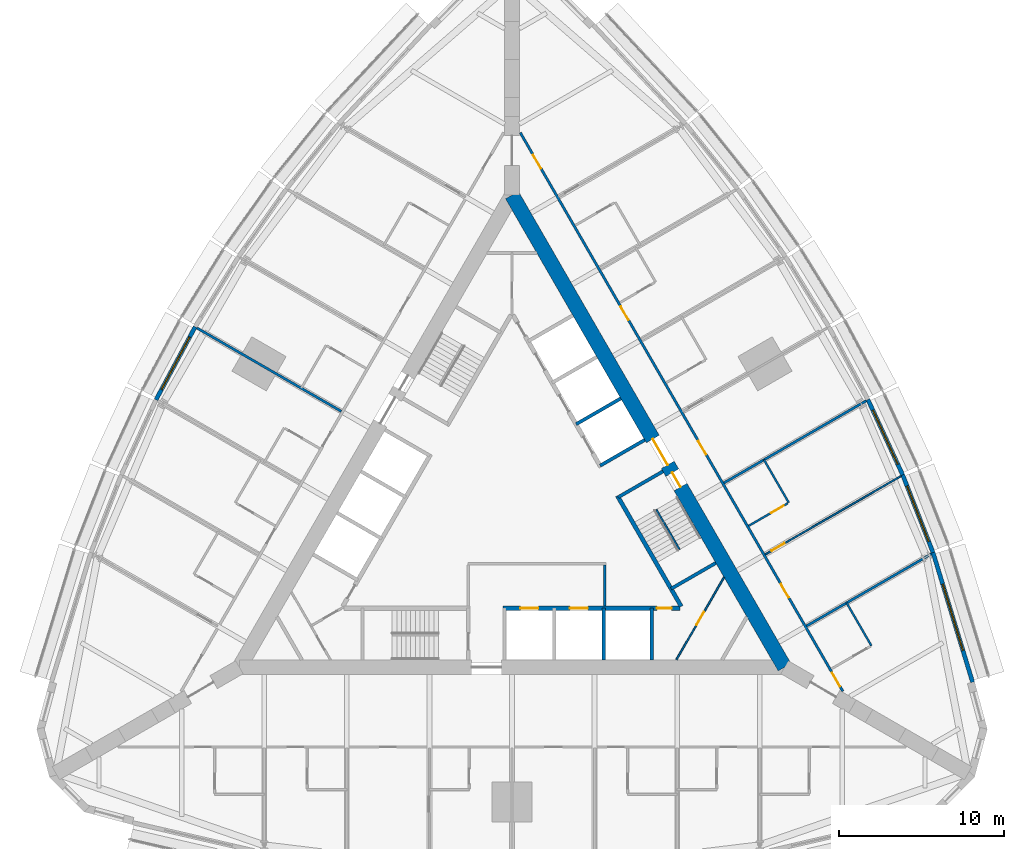
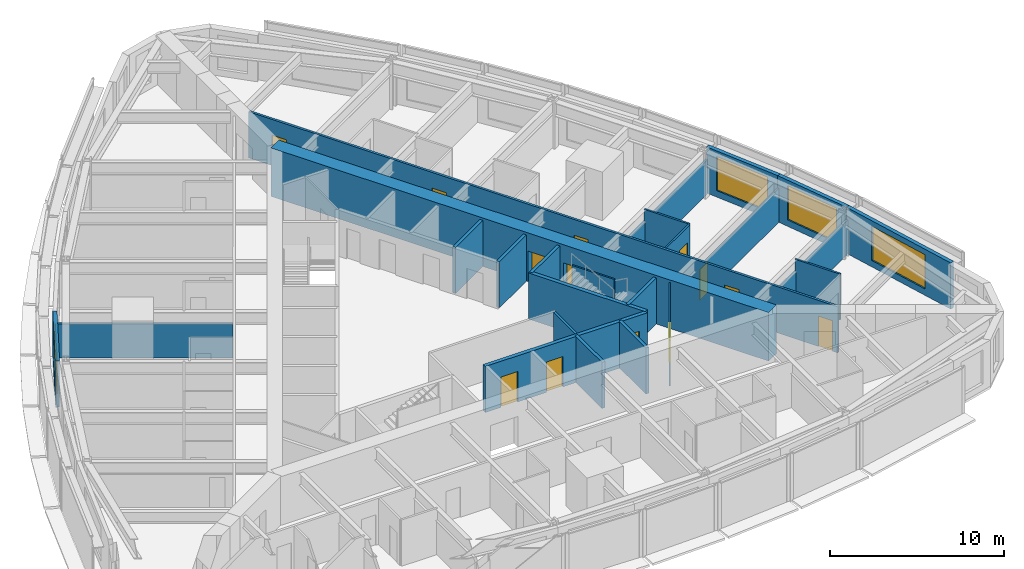
# One storey, part 11 of 14: 24 walls, 13 doors, 4 windows, 17 openings.
"""IFC4 building model written with IfcOpenShell, lengths in metres."""

from ifc_helpers import new_model, si_unit, direction, frame, frame_2d, origin, place, context, subcontext, project, spatial, rectangle, extrude, material, layer, layer_set, type_object, element, fill, save


model = new_model("IFC4")

# Units and contexts
model_context = context("Model", 3, precision=1e-05, world=origin(), true_north=direction((0.0, 1.0)))
body_context = subcontext(model_context, "Body", "Model", "MODEL_VIEW")
ifc_project = project(units=[si_unit("LENGTHUNIT", "METRE"), si_unit("AREAUNIT", "SQUARE_METRE"), si_unit("VOLUMEUNIT", "CUBIC_METRE"), si_unit("PLANEANGLEUNIT", "RADIAN"), si_unit("MASSUNIT", "GRAM", prefix="KILO")], contexts=[model_context])

# Site, building, storey
site_placement = place(None, origin())
site = spatial("IfcSite", under=ifc_project, at=site_placement, CompositionType="ELEMENT")
building_placement = place(site_placement, origin())
building = spatial("IfcBuilding", under=site, at=building_placement, Name="Trikona Tower", CompositionType="ELEMENT")
storey_placement = place(building_placement, frame((0.0, 0.0, 76.10009765625)))
storey = spatial("IfcBuildingStorey", under=building, at=storey_placement, Name="L19", CompositionType="ELEMENT", Elevation=76.10009765625)

# Walls
ifc_material_1 = material(Name="Metal stud and cement board", Category="gypsum")
ifc_layer_1 = layer(ifc_material_1, 0.1201171875)
ifc_layer_set_1 = layer_set([ifc_layer_1], Name="Bathroom wall 120")
wall_type_1 = type_object("IfcWallType", Name="Bathroom wall 120", PredefinedType="PLUMBINGWALL", material=ifc_layer_set_1)
for number, where, z_axis, x_axis, name in (
    (1, (21.75341796875, -8.225341796875, 0.0), (0.0, 0.0, 1.0), (-0.499990139034, 0.866031096941, 0.0), "Bathroom wall 1907"),
    (2, (16.75341796875, 0.434814453125, 0.0), (0.0, 0.0, 1.0), (-0.499990139034, 0.866031096941, 0.0), "Bathroom wall 1908.1"),
):
    element("IfcWall", number, at=place(storey_placement, frame(where, z_axis=z_axis, x_axis=x_axis)), inside=storey, type_object=wall_type_1, Name=name, PredefinedType="PLUMBINGWALL", context=body_context, shape_type="SweptSolid", body=[
        extrude(rectangle(XDim=3.0, YDim=0.1201171875, at=frame_2d((1.5, 0.0))), origin(), (0.0, 0.0, 1.0), 3.23486328125),
    ])

# Wall, opening, door
wall_1_placement = place(storey_placement, frame((14.32861328125, -0.965087890625, 0.0), z_axis=(0.0, 0.0, 1.0), x_axis=(0.866035715982, 0.499982138324, 0.0)))
wall_1 = element("IfcWall", 3, at=wall_1_placement, inside=storey, type_object=wall_type_1, Name="Bathroom wall 1908.1", PredefinedType="PLUMBINGWALL", context=body_context, shape_type="SweptSolid", body=[
    extrude(rectangle(XDim=2.73974609375, YDim=0.1201171875, at=frame_2d((1.369873046875, 0.0))), origin(), (0.0, 0.0, 1.0), 3.23486328125),
])
opening_1_placement = place(wall_1_placement, frame((1.550048828125, 0.0, 0.0)))
opening_1 = element("IfcOpeningElement", 4, at=opening_1_placement, cuts=wall_1, Name="Opening D2", PredefinedType="OPENING", context=body_context, shape_type="SweptSolid", body=[
    extrude(rectangle(XDim=0.89990234375, YDim=2.1298828125, at=frame_2d((0.449951171875, 1.06494140625))), frame((0.0, 0.070068359375, 0.0), z_axis=(0.0, -1.0, 0.0), x_axis=(1.0, 0.0, 0.0)), (0.0, 0.0, 1.0), 0.14013671875),
])
ifc_material_2 = material(Name="Steel door frame with solid-core timber leaf", Category="steel")
door_type_1 = type_object("IfcDoorType", Name="Bathroom door 900x2130", OperationType="SLIDING_TO_LEFT", PredefinedType="DOOR", material=ifc_material_2)
door_1_placement = place(opening_1_placement, origin())
door_1 = element("IfcDoor", 5, at=door_1_placement, inside=storey, type_object=door_type_1, Name="Bathroom door 1908.1", OperationType="SLIDING_TO_LEFT", OverallHeight=2.1298828125, OverallWidth=0.89990234375, PredefinedType="DOOR", context=body_context, shape_type="SweptSolid", body=[
    extrude(rectangle(XDim=0.89990234375, YDim=2.1298828125, at=frame_2d((0.449951171875, 1.06494140625))), frame((0.0, 0.02490234375, 0.0), z_axis=(0.0, -1.0, 0.0), x_axis=(1.0, 0.0, 0.0)), (0.0, 0.0, 1.0), 0.050048828125),
])
fill(opening_1, door_1)

# Wall, openings, doors
ifc_material_3 = material(Name="Concrete f'c 10000 psi", Category="concrete")
ifc_layer_2 = layer(ifc_material_3, 0.89990234375)
ifc_layer_set_2 = layer_set([ifc_layer_2], Name="Core wall 900")
wall_type_2 = type_object("IfcWallType", Name="Core wall 900", PredefinedType="SHEAR", material=ifc_layer_set_2)
wall_2_placement = place(storey_placement, frame((16.5, -9.5263671875, 0.0), z_axis=(0.0, 0.0, 1.0), x_axis=(-0.499999749417, 0.866025548458, 0.0)))
wall_2 = element("IfcWall", 6, at=wall_2_placement, inside=storey, type_object=wall_type_2, Name="Core wall B", PredefinedType="SHEAR", context=body_context, shape_type="SweptSolid", body=[
    extrude(rectangle(XDim=33.0, YDim=0.89990234375, at=frame_2d((16.5, 0.0))), origin(), (0.0, 0.0, 1.0), 3.39990234375),
])
opening_2_placement = place(wall_2_placement, frame((14.14990234375, 0.0, 0.0)))
opening_2 = element("IfcOpeningElement", 7, at=opening_2_placement, cuts=wall_2, Name="Opening D6", PredefinedType="OPENING", context=body_context, shape_type="SweptSolid", body=[
    extrude(rectangle(XDim=1.800048828125, YDim=2.1298828125, at=frame_2d((0.89990234375, 1.06494140625))), frame((0.0, 0.4599609375, 0.0), z_axis=(0.0, -1.0, 0.0), x_axis=(1.0, 0.0, 0.0)), (0.0, 0.0, 1.0), 0.919921875),
])
opening_3_placement = place(wall_2_placement, frame((12.60009765625, 0.0, 0.0)))
opening_3 = element("IfcOpeningElement", 8, at=opening_3_placement, cuts=wall_2, Name="Opening D5", PredefinedType="OPENING", context=body_context, shape_type="SweptSolid", body=[
    extrude(rectangle(XDim=1.0, YDim=2.1298828125, at=frame_2d((0.5, 1.06494140625))), frame((0.0, 0.4599609375, 0.0), z_axis=(0.0, -1.0, 0.0), x_axis=(1.0, 0.0, 0.0)), (0.0, 0.0, 1.0), 0.919921875),
])
ifc_material_4 = material(Name="Hollow metal door and frame", Category="steel")
door_type_2 = type_object("IfcDoorType", Name="Lobby door pair 1800x2130", OperationType="DOUBLE_DOOR_SINGLE_SWING", PredefinedType="DOOR", material=ifc_material_4)
door_2_placement = place(opening_2_placement, origin())
door_2 = element("IfcDoor", 9, at=door_2_placement, inside=storey, type_object=door_type_2, Name="Lift lobby door B", OperationType="DOUBLE_DOOR_SINGLE_SWING", OverallHeight=2.1298828125, OverallWidth=1.800048828125, PredefinedType="DOOR", context=body_context, shape_type="SweptSolid", body=[
    extrude(rectangle(XDim=1.800048828125, YDim=2.1298828125, at=frame_2d((0.89990234375, 1.06494140625))), frame((0.0, 0.02490234375, 0.0), z_axis=(0.0, -1.0, 0.0), x_axis=(1.0, 0.0, 0.0)), (0.0, 0.0, 1.0), 0.050048828125),
])
fill(opening_2, door_2)
ifc_material_5 = material(Name="Hollow metal door and frame", Category="steel")
door_type_3 = type_object("IfcDoorType", Name="Stair door 1000x2130", OperationType="SINGLE_SWING_LEFT", PredefinedType="DOOR", material=ifc_material_5)
door_3_placement = place(opening_3_placement, origin())
door_3 = element("IfcDoor", 10, at=door_3_placement, inside=storey, type_object=door_type_3, Name="Stair B door", OperationType="SINGLE_SWING_RIGHT", OverallHeight=2.1298828125, OverallWidth=1.0, PredefinedType="DOOR", context=body_context, shape_type="SweptSolid", body=[
    extrude(rectangle(XDim=1.0, YDim=2.1298828125, at=frame_2d((0.5, 1.06494140625))), frame((0.0, 0.02490234375, 0.0), z_axis=(0.0, -1.0, 0.0), x_axis=(1.0, 0.0, 0.0)), (0.0, 0.0, 1.0), 0.050048828125),
])
fill(opening_3, door_3)

ifc_material_6 = material(Name="Metal stud and gypsum board, 1-hour", Category="gypsum")
ifc_layer_3 = layer(ifc_material_6, 0.14990234375)
ifc_layer_set_3 = layer_set([ifc_layer_3], Name="Corridor wall 150")
wall_type_3 = type_object("IfcWallType", Name="Corridor wall 150", PredefinedType="PARTITIONING", material=ifc_layer_set_3)
wall_3_placement = place(storey_placement, frame((20.027099609375, -10.9853515625, 0.0), z_axis=(0.0, 0.0, 1.0), x_axis=(-0.500001677587, 0.866024435227, 0.0)))
wall_3 = element("IfcWall", 11, at=wall_3_placement, inside=storey, type_object=wall_type_3, Name="Corridor wall L19-2", PredefinedType="PARTITIONING", context=body_context, shape_type="SweptSolid", body=[
    extrude(rectangle(XDim=39.053955078125, YDim=0.14990234375, at=frame_2d((19.52685546875, 0.0))), origin(), (0.0, 0.0, 1.0), 3.23486328125),
])
opening_4_placement = place(wall_3_placement, frame((0.35205078125, 0.0, 0.0)))
opening_4 = element("IfcOpeningElement", 12, at=opening_4_placement, cuts=wall_3, Name="Opening D1", PredefinedType="OPENING", context=body_context, shape_type="SweptSolid", body=[
    extrude(rectangle(XDim=0.949951171875, YDim=2.1298828125, at=frame_2d((0.47509765625, 1.06494140625))), frame((0.0, 0.0849609375, 0.0), z_axis=(0.0, -1.0, 0.0), x_axis=(1.0, 0.0, 0.0)), (0.0, 0.0, 1.0), 0.169921875),
])
opening_5_placement = place(wall_3_placement, frame((6.552001953125, 0.0, 0.0)))
opening_5 = element("IfcOpeningElement", 13, at=opening_5_placement, cuts=wall_3, Name="Opening D1", PredefinedType="OPENING", context=body_context, shape_type="SweptSolid", body=[
    extrude(rectangle(XDim=0.949951171875, YDim=2.1298828125, at=frame_2d((0.47509765625, 1.06494140625))), frame((0.0, 0.0849609375, 0.0), z_axis=(0.0, -1.0, 0.0), x_axis=(1.0, 0.0, 0.0)), (0.0, 0.0, 1.0), 0.169921875),
])
opening_6_placement = place(wall_3_placement, frame((16.552001953125, 0.0, 0.0)))
opening_6 = element("IfcOpeningElement", 14, at=opening_6_placement, cuts=wall_3, Name="Opening D1", PredefinedType="OPENING", context=body_context, shape_type="SweptSolid", body=[
    extrude(rectangle(XDim=0.949951171875, YDim=2.1298828125, at=frame_2d((0.47509765625, 1.06494140625))), frame((0.0, 0.0849609375, 0.0), z_axis=(0.0, -1.0, 0.0), x_axis=(1.0, 0.0, 0.0)), (0.0, 0.0, 1.0), 0.169921875),
])
opening_7_placement = place(wall_3_placement, frame((25.951904296875, 0.0, 0.0)))
opening_7 = element("IfcOpeningElement", 15, at=opening_7_placement, cuts=wall_3, Name="Opening D1", PredefinedType="OPENING", context=body_context, shape_type="SweptSolid", body=[
    extrude(rectangle(XDim=0.949951171875, YDim=2.1298828125, at=frame_2d((0.47509765625, 1.06494140625))), frame((0.0, 0.0849609375, 0.0), z_axis=(0.0, -1.0, 0.0), x_axis=(1.0, 0.0, 0.0)), (0.0, 0.0, 1.0), 0.169921875),
])
opening_8_placement = place(wall_3_placement, frame((36.545654296875, 0.0, 0.0)))
opening_8 = element("IfcOpeningElement", 16, at=opening_8_placement, cuts=wall_3, Name="Opening D1", PredefinedType="OPENING", context=body_context, shape_type="SweptSolid", body=[
    extrude(rectangle(XDim=0.949951171875, YDim=2.1298828125, at=frame_2d((0.47509765625, 1.06494140625))), frame((0.0, 0.0849609375, 0.0), z_axis=(0.0, -1.0, 0.0), x_axis=(1.0, 0.0, 0.0)), (0.0, 0.0, 1.0), 0.169921875),
])
ifc_material_7 = material(Name="Steel door frame with solid-core timber leaf", Category="steel")
door_type_4 = type_object("IfcDoorType", Name="Guest room door 950x2130", OperationType="SINGLE_SWING_LEFT", PredefinedType="DOOR", material=ifc_material_7)
door_4_placement = place(opening_4_placement, origin())
door_4 = element("IfcDoor", 17, at=door_4_placement, inside=storey, type_object=door_type_4, Name="Room door 1907", OperationType="SINGLE_SWING_LEFT", OverallHeight=2.1298828125, OverallWidth=0.949951171875, PredefinedType="DOOR", context=body_context, shape_type="SweptSolid", body=[
    extrude(rectangle(XDim=0.949951171875, YDim=2.1298828125, at=frame_2d((0.47509765625, 1.06494140625))), frame((0.0, 0.02490234375, 0.0), z_axis=(0.0, -1.0, 0.0), x_axis=(1.0, 0.0, 0.0)), (0.0, 0.0, 1.0), 0.050048828125),
])
fill(opening_4, door_4)
door_5_placement = place(opening_5_placement, origin())
door_5 = element("IfcDoor", 18, at=door_5_placement, inside=storey, type_object=door_type_4, Name="Room door 1908", OperationType="SINGLE_SWING_RIGHT", OverallHeight=2.1298828125, OverallWidth=0.949951171875, PredefinedType="DOOR", context=body_context, shape_type="SweptSolid", body=[
    extrude(rectangle(XDim=0.949951171875, YDim=2.1298828125, at=frame_2d((0.47509765625, 1.06494140625))), frame((0.0, 0.02490234375, 0.0), z_axis=(0.0, -1.0, 0.0), x_axis=(1.0, 0.0, 0.0)), (0.0, 0.0, 1.0), 0.050048828125),
])
fill(opening_5, door_5)
door_6_placement = place(opening_6_placement, origin())
door_6 = element("IfcDoor", 19, at=door_6_placement, inside=storey, type_object=door_type_4, Name="Room door 1909", OperationType="SINGLE_SWING_LEFT", OverallHeight=2.1298828125, OverallWidth=0.949951171875, PredefinedType="DOOR", context=body_context, shape_type="SweptSolid", body=[
    extrude(rectangle(XDim=0.949951171875, YDim=2.1298828125, at=frame_2d((0.47509765625, 1.06494140625))), frame((0.0, 0.02490234375, 0.0), z_axis=(0.0, -1.0, 0.0), x_axis=(1.0, 0.0, 0.0)), (0.0, 0.0, 1.0), 0.050048828125),
])
fill(opening_6, door_6)
door_7_placement = place(opening_7_placement, origin())
door_7 = element("IfcDoor", 20, at=door_7_placement, inside=storey, type_object=door_type_4, Name="Room door 1910", OperationType="SINGLE_SWING_RIGHT", OverallHeight=2.1298828125, OverallWidth=0.949951171875, PredefinedType="DOOR", context=body_context, shape_type="SweptSolid", body=[
    extrude(rectangle(XDim=0.949951171875, YDim=2.1298828125, at=frame_2d((0.47509765625, 1.06494140625))), frame((0.0, 0.02490234375, 0.0), z_axis=(0.0, -1.0, 0.0), x_axis=(1.0, 0.0, 0.0)), (0.0, 0.0, 1.0), 0.050048828125),
])
fill(opening_7, door_7)
door_8_placement = place(opening_8_placement, origin())
door_8 = element("IfcDoor", 21, at=door_8_placement, inside=storey, type_object=door_type_4, Name="Room door 1911", OperationType="SINGLE_SWING_RIGHT", OverallHeight=2.1298828125, OverallWidth=0.949951171875, PredefinedType="DOOR", context=body_context, shape_type="SweptSolid", body=[
    extrude(rectangle(XDim=0.949951171875, YDim=2.1298828125, at=frame_2d((0.47509765625, 1.06494140625))), frame((0.0, 0.02490234375, 0.0), z_axis=(0.0, -1.0, 0.0), x_axis=(1.0, 0.0, 0.0)), (0.0, 0.0, 1.0), 0.050048828125),
])
fill(opening_8, door_8)

ifc_material_8 = material(Name="Concrete f'c 8000 psi", Category="concrete")
ifc_layer_4 = layer(ifc_material_8, 0.25)
ifc_layer_set_4 = layer_set([ifc_layer_4], Name="Hub wall 250")
wall_type_4 = type_object("IfcWallType", Name="Hub wall 250", PredefinedType="SOLIDWALL", material=ifc_layer_set_4)
wall_4_placement = place(storey_placement, frame((-0.550048828125, -5.951416015625, 0.0), z_axis=(0.0, 0.0, 1.0), x_axis=(1.0, 0.0, 0.0)))
wall_4 = element("IfcWall", 22, at=wall_4_placement, inside=storey, type_object=wall_type_4, Name="Lift lobby wall A2", PredefinedType="SOLIDWALL", context=body_context, shape_type="SweptSolid", body=[
    extrude(rectangle(XDim=10.73291015625, YDim=0.25, at=frame_2d((5.366455078125, 0.0))), origin(), (0.0, 0.0, 1.0), 3.23486328125),
])
opening_9_placement = place(wall_4_placement, frame((9.31396484375, 0.0, 0.0)))
opening_9 = element("IfcOpeningElement", 23, at=opening_9_placement, cuts=wall_4, Name="Opening D14", PredefinedType="OPENING", context=body_context, shape_type="SweptSolid", body=[
    extrude(rectangle(XDim=0.89990234375, YDim=2.1298828125, at=frame_2d((0.449951171875, 1.06494140625))), frame((0.0, 0.135009765625, 0.0), z_axis=(0.0, -1.0, 0.0), x_axis=(1.0, 0.0, 0.0)), (0.0, 0.0, 1.0), 0.27001953125),
])
opening_10_placement = place(wall_4_placement, frame((1.050048828125, 0.0, 0.0)))
opening_10 = element("IfcOpeningElement", 24, at=opening_10_placement, cuts=wall_4, Name="Opening LD", PredefinedType="OPENING", context=body_context, shape_type="SweptSolid", body=[
    extrude(rectangle(XDim=1.10009765625, YDim=2.1298828125, at=frame_2d((0.550048828125, 1.06494140625))), frame((0.0, 0.135009765625, 0.0), z_axis=(0.0, -1.0, 0.0), x_axis=(1.0, 0.0, 0.0)), (0.0, 0.0, 1.0), 0.27001953125),
])
opening_11_placement = place(wall_4_placement, frame((4.050048828125, 0.0, 0.0)))
opening_11 = element("IfcOpeningElement", 25, at=opening_11_placement, cuts=wall_4, Name="Opening LD", PredefinedType="OPENING", context=body_context, shape_type="SweptSolid", body=[
    extrude(rectangle(XDim=1.10009765625, YDim=2.1298828125, at=frame_2d((0.550048828125, 1.06494140625))), frame((0.0, 0.135009765625, 0.0), z_axis=(0.0, -1.0, 0.0), x_axis=(1.0, 0.0, 0.0)), (0.0, 0.0, 1.0), 0.27001953125),
])
ifc_material_9 = material(Name="Stainless steel lift landing door", Category="steel")
door_type_5 = type_object("IfcDoorType", Name="Lift landing door 1100x2130", OperationType="DOUBLE_DOOR_SLIDING", PredefinedType="USERDEFINED", material=ifc_material_9)
door_9_placement = place(opening_10_placement, origin())
door_9 = element("IfcDoor", 26, at=door_9_placement, inside=storey, type_object=door_type_5, Name="Lift landing door FF1", ObjectType="LIFT LANDING DOOR", OperationType="DOUBLE_DOOR_SLIDING", OverallHeight=2.1298828125, OverallWidth=1.10009765625, PredefinedType="USERDEFINED", context=body_context, shape_type="SweptSolid", body=[
    extrude(rectangle(XDim=1.10009765625, YDim=2.1298828125, at=frame_2d((0.550048828125, 1.06494140625))), frame((0.0, 0.02490234375, 0.0), z_axis=(0.0, -1.0, 0.0), x_axis=(1.0, 0.0, 0.0)), (0.0, 0.0, 1.0), 0.050048828125),
])
fill(opening_10, door_9)
door_10_placement = place(opening_11_placement, origin())
door_10 = element("IfcDoor", 27, at=door_10_placement, inside=storey, type_object=door_type_5, Name="Lift landing door FF2", ObjectType="LIFT LANDING DOOR", OperationType="DOUBLE_DOOR_SLIDING", OverallHeight=2.1298828125, OverallWidth=1.10009765625, PredefinedType="USERDEFINED", context=body_context, shape_type="SweptSolid", body=[
    extrude(rectangle(XDim=1.10009765625, YDim=2.1298828125, at=frame_2d((0.550048828125, 1.06494140625))), frame((0.0, 0.02490234375, 0.0), z_axis=(0.0, -1.0, 0.0), x_axis=(1.0, 0.0, 0.0)), (0.0, 0.0, 1.0), 0.050048828125),
])
fill(opening_11, door_10)
ifc_material_10 = material(Name="Hollow metal door and frame", Category="steel")
door_type_6 = type_object("IfcDoorType", Name="Service room door 900x2130", OperationType="SINGLE_SWING_LEFT", PredefinedType="DOOR", material=ifc_material_10)
door_11_placement = place(opening_9_placement, origin())
door_11 = element("IfcDoor", 28, at=door_11_placement, inside=storey, type_object=door_type_6, Name="Door Ice and vending ICE", OperationType="SINGLE_SWING_RIGHT", OverallHeight=2.1298828125, OverallWidth=0.89990234375, PredefinedType="DOOR", context=body_context, shape_type="SweptSolid", body=[
    extrude(rectangle(XDim=0.89990234375, YDim=2.1298828125, at=frame_2d((0.449951171875, 1.06494140625))), frame((0.0, 0.02490234375, 0.0), z_axis=(0.0, -1.0, 0.0), x_axis=(1.0, 0.0, 0.0)), (0.0, 0.0, 1.0), 0.050048828125),
])
fill(opening_9, door_11)

# Wall
wall_5_placement = place(storey_placement, frame((10.245361328125, -5.843017578125, 0.0), z_axis=(0.0, 0.0, 1.0), x_axis=(-0.499993009313, 0.866029439822, 0.0)))
element("IfcWall", 29, at=wall_5_placement, inside=storey, type_object=wall_type_4, Name="Lift lobby wall B1", PredefinedType="SOLIDWALL", context=body_context, shape_type="SweptSolid", body=[
    extrude(rectangle(XDim=7.73291015625, YDim=0.25, at=frame_2d((3.866455078125, 0.0))), origin(), (0.0, 0.0, 1.0), 3.23486328125),
])

# Wall, opening, window
ifc_material_11 = material(Name="Insulated precast concrete spandrel panel", Category="concrete")
ifc_layer_5 = layer(ifc_material_11, 0.25)
ifc_layer_set_5 = layer_set([ifc_layer_5], Name="Inner skin wall 250")
wall_type_5 = type_object("IfcWallType", Name="Inner skin wall 250", PredefinedType="STANDARD", material=ifc_layer_set_5)
wall_6_placement = place(storey_placement, frame((27.88037109375, -10.4287109375, 0.0), z_axis=(0.0, 0.0, 1.0), x_axis=(-0.2919790669, 0.956424709265, 0.0)))
wall_6 = element("IfcWall", 30, at=wall_6_placement, inside=storey, type_object=wall_type_5, Name="External wall L19-12", PredefinedType="STANDARD", context=body_context, shape_type="SweptSolid", body=[
    extrude(rectangle(XDim=8.211181640625, YDim=0.25, at=frame_2d((4.10546875, 0.0))), origin(), (0.0, 0.0, 1.0), 3.23486328125),
])
opening_12_placement = place(wall_6_placement, frame((2.005615234375, 0.0, 0.449951171875)))
opening_12 = element("IfcOpeningElement", 31, at=opening_12_placement, cuts=wall_6, Name="Opening W4224", PredefinedType="OPENING", context=body_context, shape_type="SweptSolid", body=[
    extrude(rectangle(XDim=4.199951171875, YDim=2.39990234375, at=frame_2d((2.10009765625, 1.199951171875))), frame((0.0, 0.135009765625, 0.0), z_axis=(0.0, -1.0, 0.0), x_axis=(1.0, 0.0, 0.0)), (0.0, 0.0, 1.0), 0.27001953125),
])
ifc_material_12 = material(Name="Aluminium-framed double glazing", Category="aluminium")
window_type_1 = type_object("IfcWindowType", Name="Window 4200x2400", PartitioningType="SINGLE_PANEL", PredefinedType="WINDOW", material=ifc_material_12)
window_1_placement = place(opening_12_placement, origin())
window_1 = element("IfcWindow", 32, at=window_1_placement, inside=storey, type_object=window_type_1, Name="Window 1907", OverallHeight=2.39990234375, OverallWidth=4.199951171875, PartitioningType="SINGLE_PANEL", PredefinedType="WINDOW", context=body_context, shape_type="SweptSolid", body=[
    extrude(rectangle(XDim=4.199951171875, YDim=2.39990234375, at=frame_2d((2.10009765625, 1.199951171875))), frame((0.0, 0.030029296875, 0.0), z_axis=(0.0, -1.0, 0.0), x_axis=(1.0, 0.0, 0.0)), (0.0, 0.0, 1.0), 0.06005859375),
])
fill(opening_12, window_1)

wall_7_placement = place(storey_placement, frame((25.486083984375, -2.58447265625, 0.0), z_axis=(0.0, 0.0, 1.0), x_axis=(-0.364013463868, 0.931393685894, 0.0)))
wall_7 = element("IfcWall", 33, at=wall_7_placement, inside=storey, type_object=wall_type_5, Name="External wall L19-13", PredefinedType="STANDARD", context=body_context, shape_type="SweptSolid", body=[
    extrude(rectangle(XDim=5.0576171875, YDim=0.25, at=frame_2d((2.52880859375, 0.0))), origin(), (0.0, 0.0, 1.0), 3.23486328125),
])
opening_13_placement = place(wall_7_placement, frame((0.728759765625, 0.0, 0.449951171875)))
opening_13 = element("IfcOpeningElement", 34, at=opening_13_placement, cuts=wall_7, Name="Opening W3624", PredefinedType="OPENING", context=body_context, shape_type="SweptSolid", body=[
    extrude(rectangle(XDim=3.60009765625, YDim=2.39990234375, at=frame_2d((1.800048828125, 1.199951171875))), frame((0.0, 0.135009765625, 0.0), z_axis=(0.0, -1.0, 0.0), x_axis=(1.0, 0.0, 0.0)), (0.0, 0.0, 1.0), 0.27001953125),
])
ifc_material_13 = material(Name="Aluminium-framed double glazing", Category="aluminium")
window_type_2 = type_object("IfcWindowType", Name="Window 3600x2400", PartitioningType="SINGLE_PANEL", PredefinedType="WINDOW", material=ifc_material_13)
window_2_placement = place(opening_13_placement, origin())
window_2 = element("IfcWindow", 35, at=window_2_placement, inside=storey, type_object=window_type_2, Name="Window 1908", OverallHeight=2.39990234375, OverallWidth=3.60009765625, PartitioningType="SINGLE_PANEL", PredefinedType="WINDOW", context=body_context, shape_type="SweptSolid", body=[
    extrude(rectangle(XDim=3.60009765625, YDim=2.39990234375, at=frame_2d((1.800048828125, 1.199951171875))), frame((0.0, 0.030029296875, 0.0), z_axis=(0.0, -1.0, 0.0), x_axis=(1.0, 0.0, 0.0)), (0.0, 0.0, 1.0), 0.06005859375),
])
fill(opening_13, window_2)

wall_8_placement = place(storey_placement, frame((23.64794921875, 2.119384765625, 0.0), z_axis=(0.0, 0.0, 1.0), x_axis=(-0.419203100754, 0.907892482796, 0.0)))
wall_8 = element("IfcWall", 36, at=wall_8_placement, inside=storey, type_object=wall_type_5, Name="External wall L19-14", PredefinedType="STANDARD", context=body_context, shape_type="SweptSolid", body=[
    extrude(rectangle(XDim=5.020751953125, YDim=0.25, at=frame_2d((2.51025390625, 0.0))), origin(), (0.0, 0.0, 1.0), 3.23486328125),
])
opening_14_placement = place(wall_8_placement, frame((0.71044921875, 0.0, 0.449951171875)))
opening_14 = element("IfcOpeningElement", 37, at=opening_14_placement, cuts=wall_8, Name="Opening W3624", PredefinedType="OPENING", context=body_context, shape_type="SweptSolid", body=[
    extrude(rectangle(XDim=3.60009765625, YDim=2.39990234375, at=frame_2d((1.800048828125, 1.199951171875))), frame((0.0, 0.135009765625, 0.0), z_axis=(0.0, -1.0, 0.0), x_axis=(1.0, 0.0, 0.0)), (0.0, 0.0, 1.0), 0.27001953125),
])
window_3_placement = place(opening_14_placement, origin())
window_3 = element("IfcWindow", 38, at=window_3_placement, inside=storey, type_object=window_type_2, Name="Window 1908.1", OverallHeight=2.39990234375, OverallWidth=3.60009765625, PartitioningType="SINGLE_PANEL", PredefinedType="WINDOW", context=body_context, shape_type="SweptSolid", body=[
    extrude(rectangle(XDim=3.60009765625, YDim=2.39990234375, at=frame_2d((1.800048828125, 1.199951171875))), frame((0.0, 0.030029296875, 0.0), z_axis=(0.0, -1.0, 0.0), x_axis=(1.0, 0.0, 0.0)), (0.0, 0.0, 1.0), 0.06005859375),
])
fill(opening_14, window_3)

wall_9_placement = place(storey_placement, frame((-19.178466796875, 11.0771484375, 0.0), z_axis=(0.0, 0.0, 1.0), x_axis=(-0.473412820489, -0.880840678782, 0.0)))
wall_9 = element("IfcWall", 39, at=wall_9_placement, inside=storey, type_object=wall_type_5, Name="External wall L19-28", PredefinedType="STANDARD", context=body_context, shape_type="SweptSolid", body=[
    extrude(rectangle(XDim=5.00244140625, YDim=0.25, at=frame_2d((2.501220703125, 0.0))), origin(), (0.0, 0.0, 1.0), 3.23486328125),
])
opening_15_placement = place(wall_9_placement, frame((0.701171875, 0.0, 0.449951171875)))
opening_15 = element("IfcOpeningElement", 40, at=opening_15_placement, cuts=wall_9, Name="Opening W3624", PredefinedType="OPENING", context=body_context, shape_type="SweptSolid", body=[
    extrude(rectangle(XDim=3.60009765625, YDim=2.39990234375, at=frame_2d((1.800048828125, 1.199951171875))), frame((0.0, 0.135009765625, 0.0), z_axis=(0.0, -1.0, 0.0), x_axis=(1.0, 0.0, 0.0)), (0.0, 0.0, 1.0), 0.27001953125),
])
window_4_placement = place(opening_15_placement, origin())
window_4 = element("IfcWindow", 41, at=window_4_placement, inside=storey, type_object=window_type_2, Name="Window 1914", OverallHeight=2.39990234375, OverallWidth=3.60009765625, PartitioningType="SINGLE_PANEL", PredefinedType="WINDOW", context=body_context, shape_type="SweptSolid", body=[
    extrude(rectangle(XDim=3.60009765625, YDim=2.39990234375, at=frame_2d((1.800048828125, 1.199951171875))), frame((0.0, 0.030029296875, 0.0), z_axis=(0.0, -1.0, 0.0), x_axis=(1.0, 0.0, 0.0)), (0.0, 0.0, 1.0), 0.06005859375),
])
fill(opening_15, window_4)

# Walls
ifc_material_14 = material(Name="Metal stud and gypsum board, 2-hour shaft wall", Category="gypsum")
ifc_layer_6 = layer(ifc_material_14, 0.14990234375)
ifc_layer_set_6 = layer_set([ifc_layer_6], Name="Lobby wall 150")
wall_type_6 = type_object("IfcWallType", Name="Lobby wall 150", PredefinedType="PARTITIONING", material=ifc_layer_set_6)
wall_10_placement = place(storey_placement, frame((5.625, -5.826416015625, 0.0), z_axis=(0.0, 0.0, 1.0), x_axis=(0.0, 1.0, 0.0)))
element("IfcWall", 42, at=wall_10_placement, inside=storey, type_object=wall_type_6, Name="Fire service lift lobby wall 3", PredefinedType="PARTITIONING", context=body_context, shape_type="SweptSolid", body=[
    extrude(rectangle(XDim=2.5, YDim=0.14990234375, at=frame_2d((1.25, 0.0))), origin(), (0.0, 0.0, 1.0), 3.23486328125),
])
ifc_material_15 = material(Name="Metal stud and gypsum board, 1-hour acoustic", Category="gypsum")
ifc_layer_7 = layer(ifc_material_15, 0.14990234375)
ifc_layer_set_7 = layer_set([ifc_layer_7], Name="Party wall 150")
wall_type_7 = type_object("IfcWallType", Name="Party wall 150", PredefinedType="PARTITIONING", material=ifc_layer_set_7)
wall_11_placement = place(storey_placement, frame((17.82861328125, -7.027099609375, 0.0), z_axis=(0.0, 0.0, 1.0), x_axis=(0.866032659912, 0.499987431809, 0.0)))
element("IfcWall", 43, at=wall_11_placement, inside=storey, type_object=wall_type_7, Name="Partition L19 F2 u-15", PredefinedType="PARTITIONING", context=body_context, shape_type="SweptSolid", body=[
    extrude(rectangle(XDim=8.719970703125, YDim=0.14990234375, at=frame_2d((4.35986328125, 0.0))), origin(), (0.0, 0.0, 1.0), 2.38916015625),
])
wall_12_placement = place(storey_placement, frame((12.82861328125, 1.633056640625, 0.0), z_axis=(0.0, 0.0, 1.0), x_axis=(0.866026934769, 0.499997348248, 0.0)))
element("IfcWall", 44, at=wall_12_placement, inside=storey, type_object=wall_type_7, Name="Partition L19 F2 u-5", PredefinedType="PARTITIONING", context=body_context, shape_type="SweptSolid", body=[
    extrude(rectangle(XDim=9.94287109375, YDim=0.14990234375, at=frame_2d((4.971435546875, 0.0))), origin(), (0.0, 0.0, 1.0), 2.38916015625),
])
wall_13_placement = place(storey_placement, frame((-10.32861328125, 5.963134765625, 0.0), z_axis=(0.0, 0.0, 1.0), x_axis=(-0.866021688545, 0.500006434927, 0.0)))
element("IfcWall", 45, at=wall_13_placement, inside=storey, type_object=wall_type_7, Name="Partition L19 F3 u-5.10703e-15", PredefinedType="PARTITIONING", context=body_context, shape_type="SweptSolid", body=[
    extrude(rectangle(XDim=10.095947265625, YDim=0.14990234375, at=frame_2d((5.0478515625, 0.0))), origin(), (0.0, 0.0, 1.0), 2.38916015625),
])
ifc_material_16 = material(Name="Concrete f'c 8000 psi", Category="concrete")
ifc_layer_8 = layer(ifc_material_16, 0.199951171875)
ifc_layer_set_8 = layer_set([ifc_layer_8], Name="Shaft wall 200")
wall_type_8 = type_object("IfcWallType", Name="Shaft wall 200", PredefinedType="SOLIDWALL", material=ifc_layer_set_8)
for number, where, z_axis, x_axis, name in (
    (46, (5.550048828125, -5.951416015625, 0.0), (0.0, 0.0, 1.0), (0.0, -1.0, 0.0), "Shaft wall A5"),
    (47, (8.449951171875, -5.951416015625, 0.0), (0.0, 0.0, 1.0), (0.0, -1.0, 0.0), "Shaft wall A6"),
    (48, (5.3291015625, 2.672607421875, 0.0), (0.0, 0.0, 1.0), (0.866022959057, 0.500004234368, 0.0), "Shaft wall B3"),
    (49, (3.87890625, 5.18408203125, 0.0), (0.0, 0.0, 1.0), (0.866022959057, 0.500004234368, 0.0), "Shaft wall B4"),
):
    element("IfcWall", number, at=place(storey_placement, frame(where, z_axis=z_axis, x_axis=x_axis)), inside=storey, type_object=wall_type_8, Name=name, PredefinedType="SOLIDWALL", context=body_context, shape_type="SweptSolid", body=[
        extrude(rectangle(XDim=3.125, YDim=0.199951171875, at=frame_2d((1.5625, 0.0))), origin(), (0.0, 0.0, 1.0), 3.23486328125),
    ])
ifc_material_17 = material(Name="Concrete f'c 8000 psi", Category="concrete")
ifc_layer_9 = layer(ifc_material_17, 0.199951171875)
ifc_layer_set_9 = layer_set([ifc_layer_9], Name="Shaft wall 200 load-bearing")
wall_type_9 = type_object("IfcWallType", Name="Shaft wall 200 load-bearing", PredefinedType="SOLIDWALL", material=ifc_layer_set_9)
for number, where, z_axis, x_axis, name in (
    (50, (9.62890625, -4.775390625, 0.0), (0.0, 0.0, 1.0), (0.866022959057, 0.500004234368, 0.0), "Shaft wall B1"),
    (51, (6.428955078125, 0.767333984375, 0.0), (0.0, 0.0, 1.0), (0.866022959057, 0.500004234368, 0.0), "Shaft wall B2"),
):
    element("IfcWall", number, at=place(storey_placement, frame(where, z_axis=z_axis, x_axis=x_axis)), inside=storey, type_object=wall_type_9, Name=name, PredefinedType="SOLIDWALL", context=body_context, shape_type="SweptSolid", body=[
        extrude(rectangle(XDim=3.125, YDim=0.199951171875, at=frame_2d((1.5625, 0.0))), origin(), (0.0, 0.0, 1.0), 3.23486328125),
    ])
ifc_material_18 = material(Name="Concrete f'c 5000 psi", Category="concrete")
ifc_layer_10 = layer(ifc_material_18, 0.10009765625)
ifc_layer_set_10 = layer_set([ifc_layer_10], Name="Stair spine wall 100")
wall_type_10 = type_object("IfcWallType", Name="Stair spine wall 100", PredefinedType="SOLIDWALL", material=ifc_layer_set_10)
wall_14_placement = place(storey_placement, frame((10.134765625, -2.4013671875, 0.0), z_axis=(0.0, 0.0, 1.0), x_axis=(-0.499992232847, 0.866029888106, 0.0)))
element("IfcWall", 52, at=wall_14_placement, inside=storey, type_object=wall_type_10, Name="Stair B spine wall L19", PredefinedType="SOLIDWALL", context=body_context, shape_type="SweptSolid", body=[
    extrude(rectangle(XDim=2.7939453125, YDim=0.10009765625, at=frame_2d((1.39697265625, 0.0))), origin(), (0.0, 0.0, 1.0), 3.39990234375),
])

# Wall, opening, door
ifc_material_19 = material(Name="Metal stud and gypsum board, acoustic", Category="gypsum")
ifc_layer_11 = layer(ifc_material_19, 0.10009765625)
ifc_layer_set_11 = layer_set([ifc_layer_11], Name="Suite partition 100")
wall_type_11 = type_object("IfcWallType", Name="Suite partition 100", PredefinedType="PARTITIONING", material=ifc_layer_set_11)
wall_15_placement = place(storey_placement, frame((15.32861328125, -2.697021484375, 0.0), z_axis=(0.0, 0.0, 1.0), x_axis=(0.866018409083, 0.500012114982, 0.0)))
wall_15 = element("IfcWall", 53, at=wall_15_placement, inside=storey, type_object=wall_type_11, Name="Suite partition L19 F2 u-10", PredefinedType="PARTITIONING", context=body_context, shape_type="SweptSolid", body=[
    extrude(rectangle(XDim=9.484619140625, YDim=0.10009765625, at=frame_2d((4.7421875, 0.0))), origin(), (0.0, 0.0, 1.0), 2.38916015625),
])
opening_16_placement = place(wall_15_placement, frame((0.449951171875, 0.0, 0.0)))
opening_16 = element("IfcOpeningElement", 54, at=opening_16_placement, cuts=wall_15, Name="Opening D13", PredefinedType="OPENING", context=body_context, shape_type="SweptSolid", body=[
    extrude(rectangle(XDim=0.89990234375, YDim=2.1298828125, at=frame_2d((0.449951171875, 1.06494140625))), frame((0.0, 0.06005859375, 0.0), z_axis=(0.0, -1.0, 0.0), x_axis=(1.0, 0.0, 0.0)), (0.0, 0.0, 1.0), 0.1201171875),
])
ifc_material_20 = material(Name="Steel door frame with solid-core timber leaf", Category="steel")
door_type_7 = type_object("IfcDoorType", Name="Suite door 900x2130", OperationType="SINGLE_SWING_LEFT", PredefinedType="DOOR", material=ifc_material_20)
door_12_placement = place(opening_16_placement, origin())
door_12 = element("IfcDoor", 55, at=door_12_placement, inside=storey, type_object=door_type_7, Name="Suite door 1908", OperationType="SINGLE_SWING_LEFT", OverallHeight=2.1298828125, OverallWidth=0.89990234375, PredefinedType="DOOR", context=body_context, shape_type="SweptSolid", body=[
    extrude(rectangle(XDim=0.89990234375, YDim=2.1298828125, at=frame_2d((0.449951171875, 1.06494140625))), frame((0.0, 0.02490234375, 0.0), z_axis=(0.0, -1.0, 0.0), x_axis=(1.0, 0.0, 0.0)), (0.0, 0.0, 1.0), 0.050048828125),
])
fill(opening_16, door_12)

wall_16_placement = place(storey_placement, frame((12.833984375, -4.076416015625, 0.0), z_axis=(0.0, 0.0, 1.0), x_axis=(-0.500027479704, -0.866009537788, 0.0)))
wall_16 = element("IfcWall", 56, at=wall_16_placement, inside=storey, type_object=wall_type_11, Name="Store partition L19-RS1", PredefinedType="PARTITIONING", context=body_context, shape_type="SweptSolid", body=[
    extrude(rectangle(XDim=5.773681640625, YDim=0.10009765625, at=frame_2d((2.88671875, 0.0))), origin(), (0.0, 0.0, 1.0), 3.23486328125),
])
opening_17_placement = place(wall_16_placement, frame((2.436767578125, 0.0, 0.0)))
opening_17 = element("IfcOpeningElement", 57, at=opening_17_placement, cuts=wall_16, Name="Opening D15", PredefinedType="OPENING", context=body_context, shape_type="SweptSolid", body=[
    extrude(rectangle(XDim=0.89990234375, YDim=2.1298828125, at=frame_2d((0.449951171875, 1.06494140625))), frame((0.0, 0.06005859375, 0.0), z_axis=(0.0, -1.0, 0.0), x_axis=(1.0, 0.0, 0.0)), (0.0, 0.0, 1.0), 0.1201171875),
])
ifc_material_21 = material(Name="Steel door frame with solid-core timber leaf", Category="steel")
door_type_8 = type_object("IfcDoorType", Name="Store door 900x2130", OperationType="SINGLE_SWING_LEFT", PredefinedType="DOOR", material=ifc_material_21)
door_13_placement = place(opening_17_placement, origin())
door_13 = element("IfcDoor", 58, at=door_13_placement, inside=storey, type_object=door_type_8, Name="Door Cleaner's store CLN", OperationType="SINGLE_SWING_RIGHT", OverallHeight=2.1298828125, OverallWidth=0.89990234375, PredefinedType="DOOR", context=body_context, shape_type="SweptSolid", body=[
    extrude(rectangle(XDim=0.89990234375, YDim=2.1298828125, at=frame_2d((0.449951171875, 1.06494140625))), frame((0.0, 0.02490234375, 0.0), z_axis=(0.0, -1.0, 0.0), x_axis=(1.0, 0.0, 0.0)), (0.0, 0.0, 1.0), 0.050048828125),
])
fill(opening_17, door_13)

save(model, "model.ifc")
